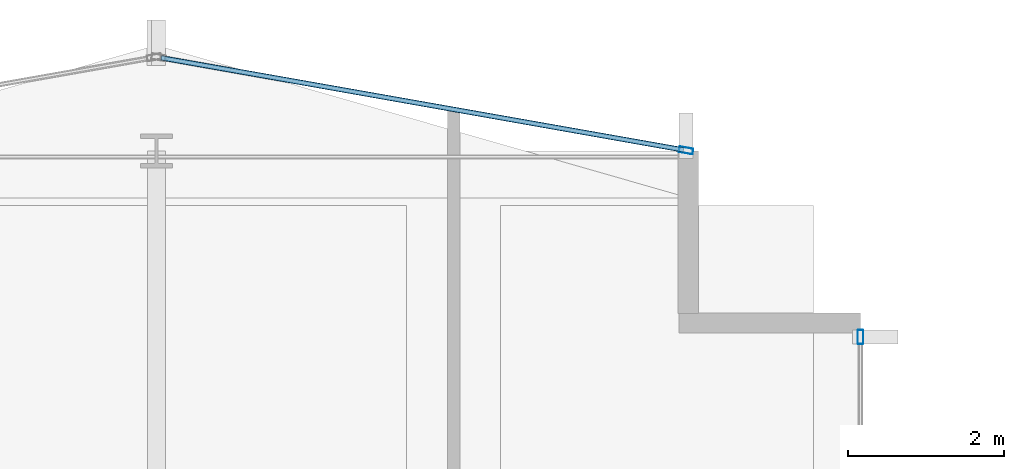
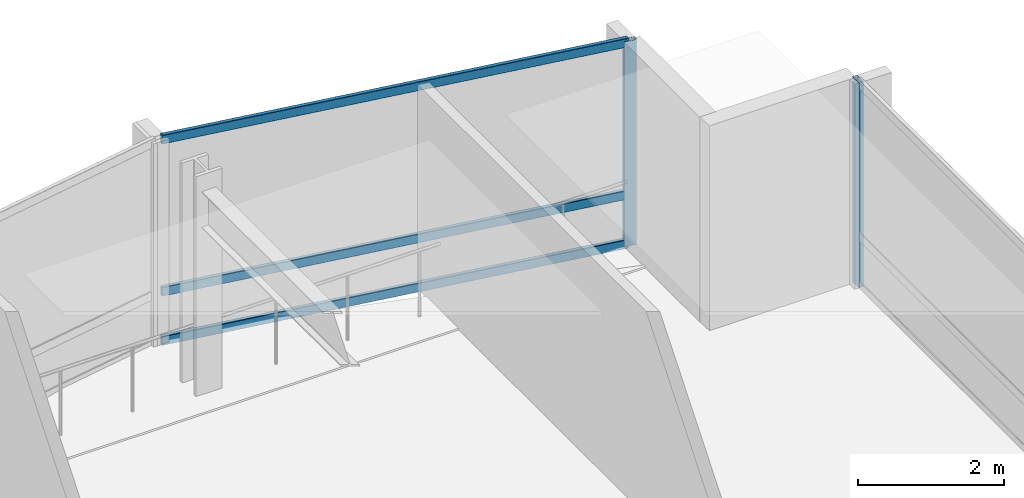
# One storey, part 20 of 28: 5 members, 2 elements without a shape of their own.
"""IFC4 building model written with IfcOpenShell, lengths in metres."""

from ifc_helpers import new_model, si_unit, direction, frame, origin, origin_2d, place, context, subcontext, project, spatial, hollow_rectangle, extrude, material, layer, layer_set, material_profile, profile_set, type_object, element, aggregate, save


model = new_model("IFC4")

# Units and contexts
model_context = context("Model", 3, precision=1e-05, world=origin(), true_north=direction((0.0, 1.0)))
body_context = subcontext(model_context, "Body", "Model", "MODEL_VIEW")
ifc_project = project(units=[si_unit("LENGTHUNIT", "METRE"), si_unit("AREAUNIT", "SQUARE_METRE"), si_unit("VOLUMEUNIT", "CUBIC_METRE"), si_unit("PLANEANGLEUNIT", "RADIAN"), si_unit("MASSUNIT", "GRAM", prefix="KILO")], contexts=[model_context])

# Site, building, storey
site_placement = place(None, origin())
site = spatial("IfcSite", under=ifc_project, at=site_placement, CompositionType="ELEMENT")
building_placement = place(site_placement, origin())
building = spatial("IfcBuilding", under=site, at=building_placement, Name="Solvaryn Broadcast Tower", CompositionType="ELEMENT")
storey_placement = place(building_placement, frame((0.0, 0.0, 150.699951171875)))
storey = spatial("IfcBuildingStorey", under=building, at=storey_placement, Name="L37", CompositionType="ELEMENT", Elevation=150.699951171875)

# Curtain wall, member
ifc_material_1 = material(Name="Aluminium and Terracotta Unitised Curtain Wall", Category="masonry")
ifc_layer = layer(ifc_material_1, 0.199951171875)
ifc_layer_set = layer_set([ifc_layer], Name="CW-SYS2-LOWMID")
curtain_wall_type = type_object("IfcCurtainWallType", Name="CW-SYS2-LOWMID", PredefinedType="NOTDEFINED", material=ifc_layer_set)
curtain_wall_1_placement = place(storey_placement, origin())
curtain_wall_1 = element("IfcCurtainWall", 1, at=curtain_wall_1_placement, inside=storey, type_object=curtain_wall_type, Name="L37 Curtain Wall IV", PredefinedType="NOTDEFINED")
ifc_material_2 = material(Name="Anodised Aluminium 6063-T6", Category="aluminium")
ifc_material_profile_1 = material_profile(ifc_material_2, hollow_rectangle(XDim=0.074951171875, YDim=0.179931640625, WallThickness=0.00390625, InnerFilletRadius=0.00390625, OuterFilletRadius=0.008056640625, at=origin_2d()))
ifc_profile_set_1 = profile_set([ifc_material_profile_1], Name="Anodised Aluminium 6063-T6")
member_type_1 = type_object("IfcMemberType", Name="CW-MUL-180", PredefinedType="MULLION", material=ifc_profile_set_1)
member_1_placement = place(storey_placement, frame((27.0, 51.6201171875, 0.0), z_axis=(0.0, 0.0, 1.0), x_axis=(1.0, 0.0, 0.0)))
member_1 = element("IfcMember", 2, at=member_1_placement, type_object=member_type_1, Name="CWS2 mullion 1", PredefinedType="MULLION", context=body_context, shape_type="SweptSolid", body=[
    extrude(hollow_rectangle(XDim=0.074951171875, YDim=0.179931640625, WallThickness=0.00390625, InnerFilletRadius=0.00390625, OuterFilletRadius=0.008056640625, at=origin_2d()), origin(), (0.0, 0.0, 1.0), 3.420166015625),
])
aggregate(curtain_wall_1, [member_1])

# Curtain wall, members
curtain_wall_2_placement = place(storey_placement, origin())
curtain_wall_2 = element("IfcCurtainWall", 3, at=curtain_wall_2_placement, inside=storey, type_object=curtain_wall_type, Name="L37 Curtain Wall NT1", PredefinedType="NOTDEFINED")
member_2_placement = place(storey_placement, frame((24.7705078125, 54.005126953125, 0.0), z_axis=(0.0, 0.0, 1.0), x_axis=(-0.173785333901, -0.984783558819, 0.0)))
member_2 = element("IfcMember", 4, at=member_2_placement, type_object=member_type_1, Name="CWS2 mullion 1", PredefinedType="MULLION", context=body_context, shape_type="SweptSolid", body=[
    extrude(hollow_rectangle(XDim=0.074951171875, YDim=0.179931640625, WallThickness=0.00390625, InnerFilletRadius=0.00390625, OuterFilletRadius=0.008056640625, at=origin_2d()), origin(), (0.0, 0.0, 1.0), 3.420166015625),
])
ifc_material_3 = material(Name="Anodised Aluminium 6063-T6", Category="aluminium")
ifc_material_profile_2 = material_profile(ifc_material_3, hollow_rectangle(XDim=0.06494140625, YDim=0.14990234375, WallThickness=0.00390625, InnerFilletRadius=0.00390625, OuterFilletRadius=0.008056640625, at=origin_2d()))
ifc_profile_set_2 = profile_set([ifc_material_profile_2], Name="Anodised Aluminium 6063-T6")
member_type_2 = type_object("IfcMemberType", Name="CW-TRN-150", PredefinedType="USERDEFINED", material=ifc_profile_set_2)
member_3_placement = place(storey_placement, frame((24.740966796875, 54.010498046875, 0.030029296875), z_axis=(-0.984788629673, 0.173756596613, 0.0), x_axis=(-0.173756596613, -0.984788629673, 0.0)))
member_3 = element("IfcMember", 5, at=member_3_placement, type_object=member_type_2, Name="CWS2 transom 1.1", ObjectType="TRANSOM", PredefinedType="USERDEFINED", context=body_context, shape_type="SweptSolid", body=[
    extrude(hollow_rectangle(XDim=0.06494140625, YDim=0.14990234375, WallThickness=0.00390625, InnerFilletRadius=0.00390625, OuterFilletRadius=0.008056640625, at=origin_2d()), origin(), (0.0, 0.0, 1.0), 6.78515625),
])
member_4_placement = place(storey_placement, frame((24.740966796875, 54.010498046875, 0.85009765625), z_axis=(-0.984788629673, 0.173756596613, 0.0), x_axis=(-0.173756596613, -0.984788629673, 0.0)))
member_4 = element("IfcMember", 6, at=member_4_placement, type_object=member_type_2, Name="CWS2 transom 1.2", ObjectType="TRANSOM", PredefinedType="USERDEFINED", context=body_context, shape_type="SweptSolid", body=[
    extrude(hollow_rectangle(XDim=0.06494140625, YDim=0.14990234375, WallThickness=0.00390625, InnerFilletRadius=0.00390625, OuterFilletRadius=0.008056640625, at=origin_2d()), origin(), (0.0, 0.0, 1.0), 6.78515625),
])
member_5_placement = place(storey_placement, frame((24.740966796875, 54.010498046875, 3.39013671875), z_axis=(-0.984788629673, 0.173756596613, 0.0), x_axis=(-0.173756596613, -0.984788629673, 0.0)))
member_5 = element("IfcMember", 7, at=member_5_placement, type_object=member_type_2, Name="CWS2 transom 1.3", ObjectType="TRANSOM", PredefinedType="USERDEFINED", context=body_context, shape_type="SweptSolid", body=[
    extrude(hollow_rectangle(XDim=0.06494140625, YDim=0.14990234375, WallThickness=0.00390625, InnerFilletRadius=0.00390625, OuterFilletRadius=0.008056640625, at=origin_2d()), origin(), (0.0, 0.0, 1.0), 6.78515625),
])
aggregate(curtain_wall_2, [member_2, member_3, member_4, member_5])

save(model, "model.ifc")
